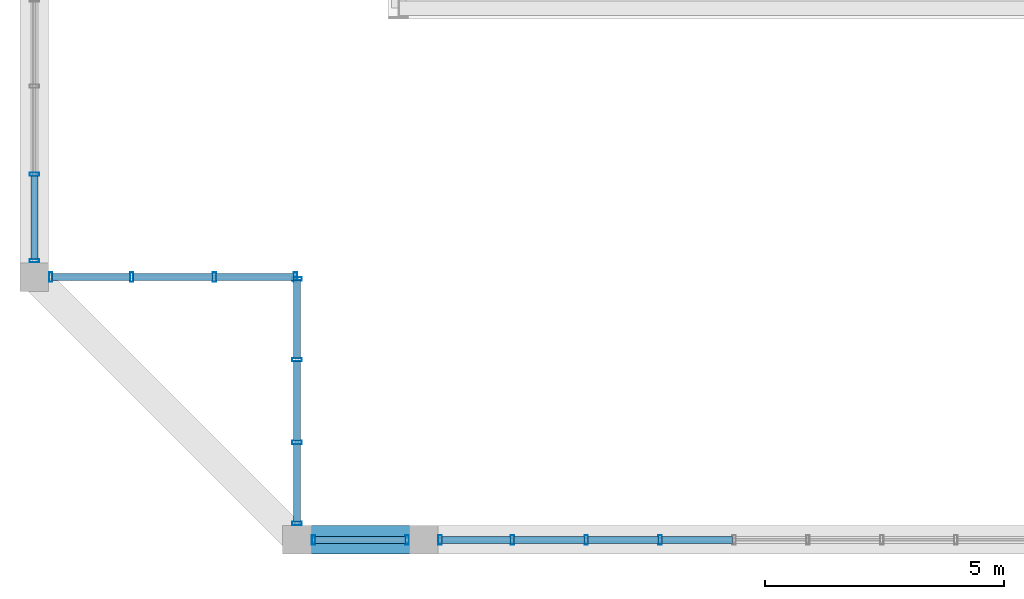
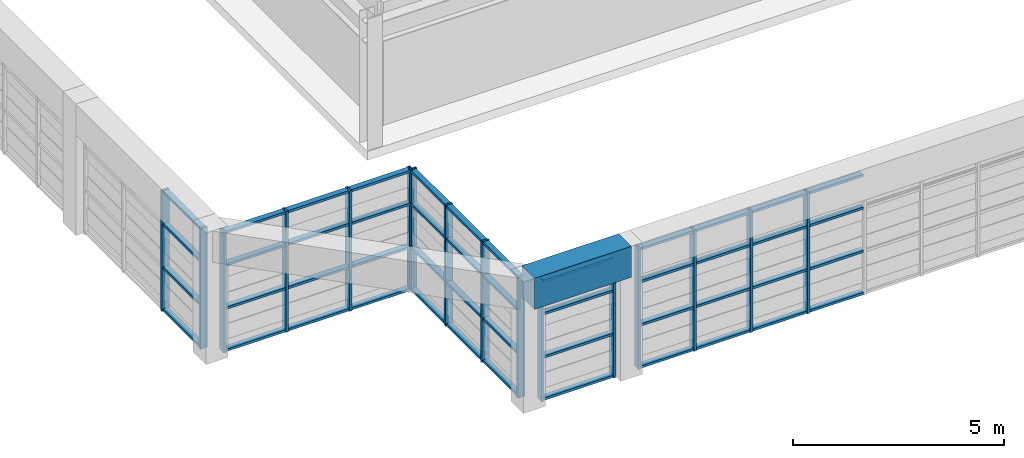
# One storey, part 2 of 27: 64 members, 1 beam, 5 elements without a shape of their own.
"""IFC4 building model written with IfcOpenShell, lengths in metres."""

from ifc_helpers import new_model, si_unit, direction, frame, origin, origin_2d, place, context, subcontext, project, spatial, rectangle, hollow_rectangle, extrude, source, transform, mapped, material, layer, layer_set, material_profile, profile_set, type_object, element, aggregate, save


model = new_model("IFC4")

# Units and contexts
model_context = context("Model", 3, precision=1e-05, world=origin(), true_north=direction((0.0, 1.0)))
body_context = subcontext(model_context, "Body", "Model", "MODEL_VIEW")
ifc_project = project(units=[si_unit("LENGTHUNIT", "METRE"), si_unit("AREAUNIT", "SQUARE_METRE"), si_unit("VOLUMEUNIT", "CUBIC_METRE"), si_unit("PLANEANGLEUNIT", "RADIAN"), si_unit("MASSUNIT", "GRAM", prefix="KILO")], contexts=[model_context])

# Site, building, storey
site_placement = place(None, origin())
site = spatial("IfcSite", under=ifc_project, at=site_placement, CompositionType="ELEMENT")
building_placement = place(site_placement, origin())
building = spatial("IfcBuilding", under=site, at=building_placement, Name="Saelheon Loggia Tower", CompositionType="ELEMENT")
storey_placement = place(building_placement, frame((0.0, 0.0, 256.0)))
storey = spatial("IfcBuildingStorey", under=building, at=storey_placement, Name="CR2", CompositionType="ELEMENT", Elevation=256.0)

# Beam
ifc_material_1 = material(Name="Precast Concrete C45/55", Category="concrete")
ifc_material_profile_1 = material_profile(ifc_material_1, rectangle(XDim=0.60009765625, YDim=0.89990234375, at=origin_2d()), Name="RC-600x900")
ifc_profile_set_1 = profile_set([ifc_material_profile_1], Name="Precast Concrete C45/55")
beam_type = type_object("IfcBeamType", Name="CrownFrame_Ring_RC600x900", PredefinedType="BEAM", material=ifc_profile_set_1)
shared_shape_1 = source(origin(), body_context, "Body", "SweptSolid", [
    extrude(rectangle(XDim=0.60009765625, YDim=0.89990234375, at=origin_2d()), origin(), (0.0, 0.0, 1.0), 2.64990234375),
])
beam_placement = place(storey_placement, frame((28.85009765625, 6.35009765625, 3.35009765625), z_axis=(1.0, 0.0, 0.0), x_axis=(0.0, 1.0, 0.0)))
element("IfcBeam", 1, at=beam_placement, inside=storey, type_object=beam_type, Name="CR2 CROWN FRAME Ring Beam 01", PredefinedType="BEAM", context=body_context, shape_type="MappedRepresentation", body=[
    mapped(shared_shape_1, transform((0.0, 0.0, 0.0), scale=1.0)),
])

# Curtain wall, members
ifc_material_2 = material(Name="Bronze-Anodised Aluminium and Fritted Ceramic Screen", Category="aluminium")
ifc_layer = layer(ifc_material_2, 0.219970703125)
ifc_layer_set = layer_set([ifc_layer], Name="Bronze-Anodised Aluminium and Fritted Ceramic Screen")
curtain_wall_type = type_object("IfcCurtainWallType", Name="CW_CrownScreen", PredefinedType="NOTDEFINED", material=ifc_layer_set)
curtain_wall_1_placement = place(storey_placement, origin())
curtain_wall_1 = element("IfcCurtainWall", 2, at=curtain_wall_1_placement, inside=storey, type_object=curtain_wall_type, Name="CR2 Crown Screen Curtain Wall 0-1", PredefinedType="NOTDEFINED")
ifc_material_3 = material(Name="Bronze-Anodised Aluminium 6063-T6", Category="aluminium")
ifc_material_profile_2 = material_profile(ifc_material_3, hollow_rectangle(XDim=0.070068359375, YDim=0.199951171875, WallThickness=0.0048828125, at=origin_2d()), Name="RHS-200x70x5")
ifc_profile_set_2 = profile_set([ifc_material_profile_2], Name="Bronze-Anodised Aluminium 6063-T6")
member_type_1 = type_object("IfcMemberType", Name="CW_CrownScreen_Mullion", PredefinedType="MULLION", material=ifc_profile_set_2)
shared_shape_2 = source(origin(), body_context, "Body", "SweptSolid", [
    extrude(hollow_rectangle(XDim=0.070068359375, YDim=0.199951171875, WallThickness=0.0048828125, at=origin_2d()), origin(), (0.0, 0.0, 1.0), 3.47998046875),
])
member_1_placement = place(storey_placement, frame((29.195068359375, 6.35009765625, 0.0), z_axis=(0.0, 0.0, 1.0), x_axis=(1.0, 0.0, 0.0)))
member_1 = element("IfcMember", 3, at=member_1_placement, type_object=member_type_1, Name="CW6 mullion 1", PredefinedType="MULLION", context=body_context, shape_type="MappedRepresentation", body=[
    mapped(shared_shape_2, transform((0.0, 0.0, 0.0), scale=1.0)),
])
member_2_placement = place(storey_placement, frame((31.155029296875, 6.35009765625, 0.0), z_axis=(0.0, 0.0, 1.0), x_axis=(1.0, 0.0, 0.0)))
member_2 = element("IfcMember", 4, at=member_2_placement, type_object=member_type_1, Name="CW6 mullion 2", PredefinedType="MULLION", context=body_context, shape_type="MappedRepresentation", body=[
    mapped(shared_shape_2, transform((0.0, 0.0, 0.0), scale=1.0)),
])

curtain_wall_2_placement = place(storey_placement, origin())
curtain_wall_2 = element("IfcCurtainWall", 5, at=curtain_wall_2_placement, inside=storey, type_object=curtain_wall_type, Name="CR2 Crown Screen Curtain Wall 0-2", PredefinedType="NOTDEFINED")
member_3_placement = place(storey_placement, frame((31.844970703125, 6.35009765625, 0.0), z_axis=(0.0, 0.0, 1.0), x_axis=(1.0, 0.0, 0.0)))
member_3 = element("IfcMember", 6, at=member_3_placement, type_object=member_type_1, Name="CW6 mullion 1", PredefinedType="MULLION", context=body_context, shape_type="MappedRepresentation", body=[
    mapped(shared_shape_2, transform((0.0, 0.0, 0.0), scale=1.0)),
])
member_4_placement = place(storey_placement, frame((33.357421875, 6.35009765625, 0.0), z_axis=(0.0, 0.0, 1.0), x_axis=(1.0, 0.0, 0.0)))
member_4 = element("IfcMember", 7, at=member_4_placement, type_object=member_type_1, Name="CW6 mullion 2", PredefinedType="MULLION", context=body_context, shape_type="MappedRepresentation", body=[
    mapped(shared_shape_2, transform((0.0, 0.0, 0.0), scale=1.0)),
])
member_5_placement = place(storey_placement, frame((34.905029296875, 6.35009765625, 0.0), z_axis=(0.0, 0.0, 1.0), x_axis=(1.0, 0.0, 0.0)))
member_5 = element("IfcMember", 8, at=member_5_placement, type_object=member_type_1, Name="CW6 mullion 3", PredefinedType="MULLION", context=body_context, shape_type="MappedRepresentation", body=[
    mapped(shared_shape_2, transform((0.0, 0.0, 0.0), scale=1.0)),
])
member_6_placement = place(storey_placement, frame((36.452392578125, 6.35009765625, 0.0), z_axis=(0.0, 0.0, 1.0), x_axis=(1.0, 0.0, 0.0)))
member_6 = element("IfcMember", 9, at=member_6_placement, type_object=member_type_1, Name="CW6 mullion 4", PredefinedType="MULLION", context=body_context, shape_type="MappedRepresentation", body=[
    mapped(shared_shape_2, transform((0.0, 0.0, 0.0), scale=1.0)),
])

curtain_wall_3_placement = place(storey_placement, origin())
curtain_wall_3 = element("IfcCurtainWall", 10, at=curtain_wall_3_placement, inside=storey, type_object=curtain_wall_type, Name="CR2 Crown Screen Curtain Wall 9-3", PredefinedType="NOTDEFINED")
member_7_placement = place(storey_placement, frame((23.35009765625, 14.00341796875, 0.0), z_axis=(0.0, 0.0, 1.0), x_axis=(0.0, -1.0, 0.0)))
member_7 = element("IfcMember", 11, at=member_7_placement, type_object=member_type_1, Name="CW6 mullion 3", PredefinedType="MULLION", context=body_context, shape_type="MappedRepresentation", body=[
    mapped(shared_shape_2, transform((0.0, 0.0, 0.0), scale=1.0)),
])
member_8_placement = place(storey_placement, frame((23.35009765625, 12.195068359375, 0.0), z_axis=(0.0, 0.0, 1.0), x_axis=(0.0, -1.0, 0.0)))
member_8 = element("IfcMember", 12, at=member_8_placement, type_object=member_type_1, Name="CW6 mullion 4", PredefinedType="MULLION", context=body_context, shape_type="MappedRepresentation", body=[
    mapped(shared_shape_2, transform((0.0, 0.0, 0.0), scale=1.0)),
])

curtain_wall_4_placement = place(storey_placement, origin())
curtain_wall_4 = element("IfcCurtainWall", 13, at=curtain_wall_4_placement, inside=storey, type_object=curtain_wall_type, Name="CR2 Crown Screen Curtain Wall 10-1", PredefinedType="NOTDEFINED")
member_9_placement = place(storey_placement, frame((23.695068359375, 11.85009765625, 0.0), z_axis=(0.0, 0.0, 1.0), x_axis=(1.0, 0.0, 0.0)))
member_9 = element("IfcMember", 14, at=member_9_placement, type_object=member_type_1, Name="CW6 mullion 1", PredefinedType="MULLION", context=body_context, shape_type="MappedRepresentation", body=[
    mapped(shared_shape_2, transform((0.0, 0.0, 0.0), scale=1.0)),
])
member_10_placement = place(storey_placement, frame((25.389892578125, 11.85009765625, 0.0), z_axis=(0.0, 0.0, 1.0), x_axis=(1.0, 0.0, 0.0)))
member_10 = element("IfcMember", 15, at=member_10_placement, type_object=member_type_1, Name="CW6 mullion 2", PredefinedType="MULLION", context=body_context, shape_type="MappedRepresentation", body=[
    mapped(shared_shape_2, transform((0.0, 0.0, 0.0), scale=1.0)),
])
member_11_placement = place(storey_placement, frame((27.1201171875, 11.85009765625, 0.0), z_axis=(0.0, 0.0, 1.0), x_axis=(1.0, 0.0, 0.0)))
member_11 = element("IfcMember", 16, at=member_11_placement, type_object=member_type_1, Name="CW6 mullion 3", PredefinedType="MULLION", context=body_context, shape_type="MappedRepresentation", body=[
    mapped(shared_shape_2, transform((0.0, 0.0, 0.0), scale=1.0)),
])
member_12_placement = place(storey_placement, frame((28.81494140625, 11.85009765625, 0.0), z_axis=(0.0, 0.0, 1.0), x_axis=(1.0, 0.0, 0.0)))
member_12 = element("IfcMember", 17, at=member_12_placement, type_object=member_type_1, Name="CW6 mullion 4", PredefinedType="MULLION", context=body_context, shape_type="MappedRepresentation", body=[
    mapped(shared_shape_2, transform((0.0, 0.0, 0.0), scale=1.0)),
])

curtain_wall_5_placement = place(storey_placement, origin())
curtain_wall_5 = element("IfcCurtainWall", 18, at=curtain_wall_5_placement, inside=storey, type_object=curtain_wall_type, Name="CR2 Crown Screen Curtain Wall 11-1", PredefinedType="NOTDEFINED")
member_13_placement = place(storey_placement, frame((28.85009765625, 11.81494140625, 0.0), z_axis=(0.0, 0.0, 1.0), x_axis=(0.0, -1.0, 0.0)))
member_13 = element("IfcMember", 19, at=member_13_placement, type_object=member_type_1, Name="CW6 mullion 1", PredefinedType="MULLION", context=body_context, shape_type="MappedRepresentation", body=[
    mapped(shared_shape_2, transform((0.0, 0.0, 0.0), scale=1.0)),
])
member_14_placement = place(storey_placement, frame((28.85009765625, 10.1201171875, 0.0), z_axis=(0.0, 0.0, 1.0), x_axis=(0.0, -1.0, 0.0)))
member_14 = element("IfcMember", 20, at=member_14_placement, type_object=member_type_1, Name="CW6 mullion 2", PredefinedType="MULLION", context=body_context, shape_type="MappedRepresentation", body=[
    mapped(shared_shape_2, transform((0.0, 0.0, 0.0), scale=1.0)),
])
member_15_placement = place(storey_placement, frame((28.85009765625, 8.389892578125, 0.0), z_axis=(0.0, 0.0, 1.0), x_axis=(0.0, -1.0, 0.0)))
member_15 = element("IfcMember", 21, at=member_15_placement, type_object=member_type_1, Name="CW6 mullion 3", PredefinedType="MULLION", context=body_context, shape_type="MappedRepresentation", body=[
    mapped(shared_shape_2, transform((0.0, 0.0, 0.0), scale=1.0)),
])
member_16_placement = place(storey_placement, frame((28.85009765625, 6.695068359375, 0.0), z_axis=(0.0, 0.0, 1.0), x_axis=(0.0, -1.0, 0.0)))
member_16 = element("IfcMember", 22, at=member_16_placement, type_object=member_type_1, Name="CW6 mullion 4", PredefinedType="MULLION", context=body_context, shape_type="MappedRepresentation", body=[
    mapped(shared_shape_2, transform((0.0, 0.0, 0.0), scale=1.0)),
])

# Member
ifc_material_profile_3 = material_profile(ifc_material_3, hollow_rectangle(XDim=0.070068359375, YDim=0.14990234375, WallThickness=0.0048828125, at=origin_2d()), Name="RHS-150x70x5")
ifc_profile_set_3 = profile_set([ifc_material_profile_3], Name="Bronze-Anodised Aluminium 6063-T6")
member_type_2 = type_object("IfcMemberType", Name="CW_CrownScreen_Transom", PredefinedType="USERDEFINED", material=ifc_profile_set_3)
shared_shape_3 = source(origin(), body_context, "Body", "SweptSolid", [
    extrude(hollow_rectangle(XDim=0.070068359375, YDim=0.14990234375, WallThickness=0.0048828125, at=origin_2d()), origin(), (0.0, 0.0, 1.0), 1.89013671875),
])
member_17_placement = place(storey_placement, frame((29.22998046875, 6.35009765625, 0.034912109375), z_axis=(1.0, 0.0, 0.0), x_axis=(0.0, 0.0, 1.0)))
member_17 = element("IfcMember", 23, at=member_17_placement, type_object=member_type_2, Name="CW6 transom 1.1", ObjectType="TRANSOM", PredefinedType="USERDEFINED", context=body_context, shape_type="MappedRepresentation", body=[
    mapped(shared_shape_3, transform((0.0, 0.0, 0.0), scale=1.0)),
])

member_18_placement = place(storey_placement, frame((29.22998046875, 6.35009765625, 1.25), z_axis=(1.0, 0.0, 0.0), x_axis=(0.0, 0.0, 1.0)))
member_18 = element("IfcMember", 24, at=member_18_placement, type_object=member_type_2, Name="CW6 transom 1.2", ObjectType="TRANSOM", PredefinedType="USERDEFINED", context=body_context, shape_type="MappedRepresentation", body=[
    mapped(shared_shape_3, transform((0.0, 0.0, 0.0), scale=1.0)),
])

member_19_placement = place(storey_placement, frame((29.22998046875, 6.35009765625, 2.5), z_axis=(1.0, 0.0, 0.0), x_axis=(0.0, 0.0, 1.0)))
member_19 = element("IfcMember", 25, at=member_19_placement, type_object=member_type_2, Name="CW6 transom 1.3", ObjectType="TRANSOM", PredefinedType="USERDEFINED", context=body_context, shape_type="MappedRepresentation", body=[
    mapped(shared_shape_3, transform((0.0, 0.0, 0.0), scale=1.0)),
])

member_20_placement = place(storey_placement, frame((29.22998046875, 6.35009765625, 3.445068359375), z_axis=(1.0, 0.0, 0.0), x_axis=(0.0, 0.0, 1.0)))
member_20 = element("IfcMember", 26, at=member_20_placement, type_object=member_type_2, Name="CW6 transom 1.4", ObjectType="TRANSOM", PredefinedType="USERDEFINED", context=body_context, shape_type="MappedRepresentation", body=[
    mapped(shared_shape_3, transform((0.0, 0.0, 0.0), scale=1.0)),
])

aggregate(curtain_wall_1, [member_1, member_2, member_17, member_18, member_19, member_20])

shared_shape_4 = source(origin(), body_context, "Body", "SweptSolid", [
    extrude(hollow_rectangle(XDim=0.070068359375, YDim=0.14990234375, WallThickness=0.0048828125, at=origin_2d()), origin(), (0.0, 0.0, 1.0), 1.442626953125),
])
member_21_placement = place(storey_placement, frame((31.8798828125, 6.35009765625, 0.034912109375), z_axis=(1.0, 0.0, 0.0), x_axis=(0.0, 0.0, 1.0)))
member_21 = element("IfcMember", 27, at=member_21_placement, type_object=member_type_2, Name="CW6 transom 1.1", ObjectType="TRANSOM", PredefinedType="USERDEFINED", context=body_context, shape_type="MappedRepresentation", body=[
    mapped(shared_shape_4, transform((0.0, 0.0, 0.0), scale=1.0)),
])

member_22_placement = place(storey_placement, frame((31.8798828125, 6.35009765625, 1.25), z_axis=(1.0, 0.0, 0.0), x_axis=(0.0, 0.0, 1.0)))
member_22 = element("IfcMember", 28, at=member_22_placement, type_object=member_type_2, Name="CW6 transom 1.2", ObjectType="TRANSOM", PredefinedType="USERDEFINED", context=body_context, shape_type="MappedRepresentation", body=[
    mapped(shared_shape_4, transform((0.0, 0.0, 0.0), scale=1.0)),
])

member_23_placement = place(storey_placement, frame((31.8798828125, 6.35009765625, 2.5), z_axis=(1.0, 0.0, 0.0), x_axis=(0.0, 0.0, 1.0)))
member_23 = element("IfcMember", 29, at=member_23_placement, type_object=member_type_2, Name="CW6 transom 1.3", ObjectType="TRANSOM", PredefinedType="USERDEFINED", context=body_context, shape_type="MappedRepresentation", body=[
    mapped(shared_shape_4, transform((0.0, 0.0, 0.0), scale=1.0)),
])

member_24_placement = place(storey_placement, frame((31.8798828125, 6.35009765625, 3.445068359375), z_axis=(1.0, 0.0, 0.0), x_axis=(0.0, 0.0, 1.0)))
member_24 = element("IfcMember", 30, at=member_24_placement, type_object=member_type_2, Name="CW6 transom 1.4", ObjectType="TRANSOM", PredefinedType="USERDEFINED", context=body_context, shape_type="MappedRepresentation", body=[
    mapped(shared_shape_4, transform((0.0, 0.0, 0.0), scale=1.0)),
])

shared_shape_5 = source(origin(), body_context, "Body", "SweptSolid", [
    extrude(hollow_rectangle(XDim=0.070068359375, YDim=0.14990234375, WallThickness=0.0048828125, at=origin_2d()), origin(), (0.0, 0.0, 1.0), 1.4775390625),
])
member_25_placement = place(storey_placement, frame((33.392578125, 6.35009765625, 0.034912109375), z_axis=(1.0, 0.0, 0.0), x_axis=(0.0, 0.0, 1.0)))
member_25 = element("IfcMember", 31, at=member_25_placement, type_object=member_type_2, Name="CW6 transom 2.1", ObjectType="TRANSOM", PredefinedType="USERDEFINED", context=body_context, shape_type="MappedRepresentation", body=[
    mapped(shared_shape_5, transform((0.0, 0.0, 0.0), scale=1.0)),
])

member_26_placement = place(storey_placement, frame((33.392578125, 6.35009765625, 1.25), z_axis=(1.0, 0.0, 0.0), x_axis=(0.0, 0.0, 1.0)))
member_26 = element("IfcMember", 32, at=member_26_placement, type_object=member_type_2, Name="CW6 transom 2.2", ObjectType="TRANSOM", PredefinedType="USERDEFINED", context=body_context, shape_type="MappedRepresentation", body=[
    mapped(shared_shape_5, transform((0.0, 0.0, 0.0), scale=1.0)),
])

member_27_placement = place(storey_placement, frame((33.392578125, 6.35009765625, 2.5), z_axis=(1.0, 0.0, 0.0), x_axis=(0.0, 0.0, 1.0)))
member_27 = element("IfcMember", 33, at=member_27_placement, type_object=member_type_2, Name="CW6 transom 2.3", ObjectType="TRANSOM", PredefinedType="USERDEFINED", context=body_context, shape_type="MappedRepresentation", body=[
    mapped(shared_shape_5, transform((0.0, 0.0, 0.0), scale=1.0)),
])

member_28_placement = place(storey_placement, frame((33.392578125, 6.35009765625, 3.445068359375), z_axis=(1.0, 0.0, 0.0), x_axis=(0.0, 0.0, 1.0)))
member_28 = element("IfcMember", 34, at=member_28_placement, type_object=member_type_2, Name="CW6 transom 2.4", ObjectType="TRANSOM", PredefinedType="USERDEFINED", context=body_context, shape_type="MappedRepresentation", body=[
    mapped(shared_shape_5, transform((0.0, 0.0, 0.0), scale=1.0)),
])

member_29_placement = place(storey_placement, frame((34.93994140625, 6.35009765625, 0.034912109375), z_axis=(1.0, 0.0, 0.0), x_axis=(0.0, 0.0, 1.0)))
member_29 = element("IfcMember", 35, at=member_29_placement, type_object=member_type_2, Name="CW6 transom 3.1", ObjectType="TRANSOM", PredefinedType="USERDEFINED", context=body_context, shape_type="MappedRepresentation", body=[
    mapped(shared_shape_5, transform((0.0, 0.0, 0.0), scale=1.0)),
])

member_30_placement = place(storey_placement, frame((34.93994140625, 6.35009765625, 1.25), z_axis=(1.0, 0.0, 0.0), x_axis=(0.0, 0.0, 1.0)))
member_30 = element("IfcMember", 36, at=member_30_placement, type_object=member_type_2, Name="CW6 transom 3.2", ObjectType="TRANSOM", PredefinedType="USERDEFINED", context=body_context, shape_type="MappedRepresentation", body=[
    mapped(shared_shape_5, transform((0.0, 0.0, 0.0), scale=1.0)),
])

member_31_placement = place(storey_placement, frame((34.93994140625, 6.35009765625, 2.5), z_axis=(1.0, 0.0, 0.0), x_axis=(0.0, 0.0, 1.0)))
member_31 = element("IfcMember", 37, at=member_31_placement, type_object=member_type_2, Name="CW6 transom 3.3", ObjectType="TRANSOM", PredefinedType="USERDEFINED", context=body_context, shape_type="MappedRepresentation", body=[
    mapped(shared_shape_5, transform((0.0, 0.0, 0.0), scale=1.0)),
])

member_32_placement = place(storey_placement, frame((34.93994140625, 6.35009765625, 3.445068359375), z_axis=(1.0, 0.0, 0.0), x_axis=(0.0, 0.0, 1.0)))
member_32 = element("IfcMember", 38, at=member_32_placement, type_object=member_type_2, Name="CW6 transom 3.4", ObjectType="TRANSOM", PredefinedType="USERDEFINED", context=body_context, shape_type="MappedRepresentation", body=[
    mapped(shared_shape_5, transform((0.0, 0.0, 0.0), scale=1.0)),
])

member_33_placement = place(storey_placement, frame((36.487548828125, 6.35009765625, 0.034912109375), z_axis=(1.0, 0.0, 0.0), x_axis=(0.0, 0.0, 1.0)))
member_33 = element("IfcMember", 39, at=member_33_placement, type_object=member_type_2, Name="CW6 transom 4.1", ObjectType="TRANSOM", PredefinedType="USERDEFINED", context=body_context, shape_type="MappedRepresentation", body=[
    mapped(shared_shape_5, transform((0.0, 0.0, 0.0), scale=1.0)),
])

member_34_placement = place(storey_placement, frame((36.487548828125, 6.35009765625, 1.25), z_axis=(1.0, 0.0, 0.0), x_axis=(0.0, 0.0, 1.0)))
member_34 = element("IfcMember", 40, at=member_34_placement, type_object=member_type_2, Name="CW6 transom 4.2", ObjectType="TRANSOM", PredefinedType="USERDEFINED", context=body_context, shape_type="MappedRepresentation", body=[
    mapped(shared_shape_5, transform((0.0, 0.0, 0.0), scale=1.0)),
])

member_35_placement = place(storey_placement, frame((36.487548828125, 6.35009765625, 2.5), z_axis=(1.0, 0.0, 0.0), x_axis=(0.0, 0.0, 1.0)))
member_35 = element("IfcMember", 41, at=member_35_placement, type_object=member_type_2, Name="CW6 transom 4.3", ObjectType="TRANSOM", PredefinedType="USERDEFINED", context=body_context, shape_type="MappedRepresentation", body=[
    mapped(shared_shape_5, transform((0.0, 0.0, 0.0), scale=1.0)),
])

member_36_placement = place(storey_placement, frame((36.487548828125, 6.35009765625, 3.445068359375), z_axis=(1.0, 0.0, 0.0), x_axis=(0.0, 0.0, 1.0)))
member_36 = element("IfcMember", 42, at=member_36_placement, type_object=member_type_2, Name="CW6 transom 4.4", ObjectType="TRANSOM", PredefinedType="USERDEFINED", context=body_context, shape_type="MappedRepresentation", body=[
    mapped(shared_shape_5, transform((0.0, 0.0, 0.0), scale=1.0)),
])

aggregate(curtain_wall_2, [member_3, member_4, member_5, member_6, member_21, member_22, member_23, member_24, member_25, member_26, member_27, member_28, member_29, member_30, member_31, member_32, member_33, member_34, member_35, member_36])

shared_shape_6 = source(origin(), body_context, "Body", "SweptSolid", [
    extrude(hollow_rectangle(XDim=0.070068359375, YDim=0.14990234375, WallThickness=0.0048828125, at=origin_2d()), origin(), (0.0, 0.0, 1.0), 1.625),
])
member_37_placement = place(storey_placement, frame((23.72998046875, 11.85009765625, 0.034912109375), z_axis=(1.0, 0.0, 0.0), x_axis=(0.0, 0.0, 1.0)))
member_37 = element("IfcMember", 43, at=member_37_placement, type_object=member_type_2, Name="CW6 transom 1.1", ObjectType="TRANSOM", PredefinedType="USERDEFINED", context=body_context, shape_type="MappedRepresentation", body=[
    mapped(shared_shape_6, transform((0.0, 0.0, 0.0), scale=1.0)),
])

member_38_placement = place(storey_placement, frame((23.72998046875, 11.85009765625, 1.25), z_axis=(1.0, 0.0, 0.0), x_axis=(0.0, 0.0, 1.0)))
member_38 = element("IfcMember", 44, at=member_38_placement, type_object=member_type_2, Name="CW6 transom 1.2", ObjectType="TRANSOM", PredefinedType="USERDEFINED", context=body_context, shape_type="MappedRepresentation", body=[
    mapped(shared_shape_6, transform((0.0, 0.0, 0.0), scale=1.0)),
])

member_39_placement = place(storey_placement, frame((23.72998046875, 11.85009765625, 2.5), z_axis=(1.0, 0.0, 0.0), x_axis=(0.0, 0.0, 1.0)))
member_39 = element("IfcMember", 45, at=member_39_placement, type_object=member_type_2, Name="CW6 transom 1.3", ObjectType="TRANSOM", PredefinedType="USERDEFINED", context=body_context, shape_type="MappedRepresentation", body=[
    mapped(shared_shape_6, transform((0.0, 0.0, 0.0), scale=1.0)),
])

member_40_placement = place(storey_placement, frame((23.72998046875, 11.85009765625, 3.445068359375), z_axis=(1.0, 0.0, 0.0), x_axis=(0.0, 0.0, 1.0)))
member_40 = element("IfcMember", 46, at=member_40_placement, type_object=member_type_2, Name="CW6 transom 1.4", ObjectType="TRANSOM", PredefinedType="USERDEFINED", context=body_context, shape_type="MappedRepresentation", body=[
    mapped(shared_shape_6, transform((0.0, 0.0, 0.0), scale=1.0)),
])

member_41_placement = place(storey_placement, frame((27.155029296875, 11.85009765625, 0.034912109375), z_axis=(1.0, 0.0, 0.0), x_axis=(0.0, 0.0, 1.0)))
member_41 = element("IfcMember", 47, at=member_41_placement, type_object=member_type_2, Name="CW6 transom 3.1", ObjectType="TRANSOM", PredefinedType="USERDEFINED", context=body_context, shape_type="MappedRepresentation", body=[
    mapped(shared_shape_6, transform((0.0, 0.0, 0.0), scale=1.0)),
])

member_42_placement = place(storey_placement, frame((27.155029296875, 11.85009765625, 1.25), z_axis=(1.0, 0.0, 0.0), x_axis=(0.0, 0.0, 1.0)))
member_42 = element("IfcMember", 48, at=member_42_placement, type_object=member_type_2, Name="CW6 transom 3.2", ObjectType="TRANSOM", PredefinedType="USERDEFINED", context=body_context, shape_type="MappedRepresentation", body=[
    mapped(shared_shape_6, transform((0.0, 0.0, 0.0), scale=1.0)),
])

member_43_placement = place(storey_placement, frame((27.155029296875, 11.85009765625, 2.5), z_axis=(1.0, 0.0, 0.0), x_axis=(0.0, 0.0, 1.0)))
member_43 = element("IfcMember", 49, at=member_43_placement, type_object=member_type_2, Name="CW6 transom 3.3", ObjectType="TRANSOM", PredefinedType="USERDEFINED", context=body_context, shape_type="MappedRepresentation", body=[
    mapped(shared_shape_6, transform((0.0, 0.0, 0.0), scale=1.0)),
])

member_44_placement = place(storey_placement, frame((27.155029296875, 11.85009765625, 3.445068359375), z_axis=(1.0, 0.0, 0.0), x_axis=(0.0, 0.0, 1.0)))
member_44 = element("IfcMember", 50, at=member_44_placement, type_object=member_type_2, Name="CW6 transom 3.4", ObjectType="TRANSOM", PredefinedType="USERDEFINED", context=body_context, shape_type="MappedRepresentation", body=[
    mapped(shared_shape_6, transform((0.0, 0.0, 0.0), scale=1.0)),
])

member_45_placement = place(storey_placement, frame((28.85009765625, 11.780029296875, 0.034912109375), z_axis=(0.0, -1.0, 0.0), x_axis=(0.0, 0.0, 1.0)))
member_45 = element("IfcMember", 51, at=member_45_placement, type_object=member_type_2, Name="CW6 transom 1.1", ObjectType="TRANSOM", PredefinedType="USERDEFINED", context=body_context, shape_type="MappedRepresentation", body=[
    mapped(shared_shape_6, transform((0.0, 0.0, 0.0), scale=1.0)),
])

member_46_placement = place(storey_placement, frame((28.85009765625, 11.780029296875, 1.25), z_axis=(0.0, -1.0, 0.0), x_axis=(0.0, 0.0, 1.0)))
member_46 = element("IfcMember", 52, at=member_46_placement, type_object=member_type_2, Name="CW6 transom 1.2", ObjectType="TRANSOM", PredefinedType="USERDEFINED", context=body_context, shape_type="MappedRepresentation", body=[
    mapped(shared_shape_6, transform((0.0, 0.0, 0.0), scale=1.0)),
])

member_47_placement = place(storey_placement, frame((28.85009765625, 11.780029296875, 2.5), z_axis=(0.0, -1.0, 0.0), x_axis=(0.0, 0.0, 1.0)))
member_47 = element("IfcMember", 53, at=member_47_placement, type_object=member_type_2, Name="CW6 transom 1.3", ObjectType="TRANSOM", PredefinedType="USERDEFINED", context=body_context, shape_type="MappedRepresentation", body=[
    mapped(shared_shape_6, transform((0.0, 0.0, 0.0), scale=1.0)),
])

member_48_placement = place(storey_placement, frame((28.85009765625, 11.780029296875, 3.445068359375), z_axis=(0.0, -1.0, 0.0), x_axis=(0.0, 0.0, 1.0)))
member_48 = element("IfcMember", 54, at=member_48_placement, type_object=member_type_2, Name="CW6 transom 1.4", ObjectType="TRANSOM", PredefinedType="USERDEFINED", context=body_context, shape_type="MappedRepresentation", body=[
    mapped(shared_shape_6, transform((0.0, 0.0, 0.0), scale=1.0)),
])

member_49_placement = place(storey_placement, frame((28.85009765625, 8.35498046875, 0.034912109375), z_axis=(0.0, -1.0, 0.0), x_axis=(0.0, 0.0, 1.0)))
member_49 = element("IfcMember", 55, at=member_49_placement, type_object=member_type_2, Name="CW6 transom 3.1", ObjectType="TRANSOM", PredefinedType="USERDEFINED", context=body_context, shape_type="MappedRepresentation", body=[
    mapped(shared_shape_6, transform((0.0, 0.0, 0.0), scale=1.0)),
])

member_50_placement = place(storey_placement, frame((28.85009765625, 8.35498046875, 1.25), z_axis=(0.0, -1.0, 0.0), x_axis=(0.0, 0.0, 1.0)))
member_50 = element("IfcMember", 56, at=member_50_placement, type_object=member_type_2, Name="CW6 transom 3.2", ObjectType="TRANSOM", PredefinedType="USERDEFINED", context=body_context, shape_type="MappedRepresentation", body=[
    mapped(shared_shape_6, transform((0.0, 0.0, 0.0), scale=1.0)),
])

member_51_placement = place(storey_placement, frame((28.85009765625, 8.35498046875, 2.5), z_axis=(0.0, -1.0, 0.0), x_axis=(0.0, 0.0, 1.0)))
member_51 = element("IfcMember", 57, at=member_51_placement, type_object=member_type_2, Name="CW6 transom 3.3", ObjectType="TRANSOM", PredefinedType="USERDEFINED", context=body_context, shape_type="MappedRepresentation", body=[
    mapped(shared_shape_6, transform((0.0, 0.0, 0.0), scale=1.0)),
])

member_52_placement = place(storey_placement, frame((28.85009765625, 8.35498046875, 3.445068359375), z_axis=(0.0, -1.0, 0.0), x_axis=(0.0, 0.0, 1.0)))
member_52 = element("IfcMember", 58, at=member_52_placement, type_object=member_type_2, Name="CW6 transom 3.4", ObjectType="TRANSOM", PredefinedType="USERDEFINED", context=body_context, shape_type="MappedRepresentation", body=[
    mapped(shared_shape_6, transform((0.0, 0.0, 0.0), scale=1.0)),
])

shared_shape_7 = source(origin(), body_context, "Body", "SweptSolid", [
    extrude(hollow_rectangle(XDim=0.070068359375, YDim=0.14990234375, WallThickness=0.0048828125, at=origin_2d()), origin(), (0.0, 0.0, 1.0), 1.659912109375),
])
member_53_placement = place(storey_placement, frame((25.425048828125, 11.85009765625, 0.034912109375), z_axis=(1.0, 0.0, 0.0), x_axis=(0.0, 0.0, 1.0)))
member_53 = element("IfcMember", 59, at=member_53_placement, type_object=member_type_2, Name="CW6 transom 2.1", ObjectType="TRANSOM", PredefinedType="USERDEFINED", context=body_context, shape_type="MappedRepresentation", body=[
    mapped(shared_shape_7, transform((0.0, 0.0, 0.0), scale=1.0)),
])

member_54_placement = place(storey_placement, frame((25.425048828125, 11.85009765625, 1.25), z_axis=(1.0, 0.0, 0.0), x_axis=(0.0, 0.0, 1.0)))
member_54 = element("IfcMember", 60, at=member_54_placement, type_object=member_type_2, Name="CW6 transom 2.2", ObjectType="TRANSOM", PredefinedType="USERDEFINED", context=body_context, shape_type="MappedRepresentation", body=[
    mapped(shared_shape_7, transform((0.0, 0.0, 0.0), scale=1.0)),
])

member_55_placement = place(storey_placement, frame((25.425048828125, 11.85009765625, 2.5), z_axis=(1.0, 0.0, 0.0), x_axis=(0.0, 0.0, 1.0)))
member_55 = element("IfcMember", 61, at=member_55_placement, type_object=member_type_2, Name="CW6 transom 2.3", ObjectType="TRANSOM", PredefinedType="USERDEFINED", context=body_context, shape_type="MappedRepresentation", body=[
    mapped(shared_shape_7, transform((0.0, 0.0, 0.0), scale=1.0)),
])

member_56_placement = place(storey_placement, frame((25.425048828125, 11.85009765625, 3.445068359375), z_axis=(1.0, 0.0, 0.0), x_axis=(0.0, 0.0, 1.0)))
member_56 = element("IfcMember", 62, at=member_56_placement, type_object=member_type_2, Name="CW6 transom 2.4", ObjectType="TRANSOM", PredefinedType="USERDEFINED", context=body_context, shape_type="MappedRepresentation", body=[
    mapped(shared_shape_7, transform((0.0, 0.0, 0.0), scale=1.0)),
])

aggregate(curtain_wall_4, [member_9, member_10, member_11, member_12, member_37, member_38, member_39, member_40, member_53, member_54, member_55, member_56, member_41, member_42, member_43, member_44])

member_57_placement = place(storey_placement, frame((28.85009765625, 10.0849609375, 0.034912109375), z_axis=(0.0, -1.0, 0.0), x_axis=(0.0, 0.0, 1.0)))
member_57 = element("IfcMember", 63, at=member_57_placement, type_object=member_type_2, Name="CW6 transom 2.1", ObjectType="TRANSOM", PredefinedType="USERDEFINED", context=body_context, shape_type="MappedRepresentation", body=[
    mapped(shared_shape_7, transform((0.0, 0.0, 0.0), scale=1.0)),
])

member_58_placement = place(storey_placement, frame((28.85009765625, 10.0849609375, 1.25), z_axis=(0.0, -1.0, 0.0), x_axis=(0.0, 0.0, 1.0)))
member_58 = element("IfcMember", 64, at=member_58_placement, type_object=member_type_2, Name="CW6 transom 2.2", ObjectType="TRANSOM", PredefinedType="USERDEFINED", context=body_context, shape_type="MappedRepresentation", body=[
    mapped(shared_shape_7, transform((0.0, 0.0, 0.0), scale=1.0)),
])

member_59_placement = place(storey_placement, frame((28.85009765625, 10.0849609375, 2.5), z_axis=(0.0, -1.0, 0.0), x_axis=(0.0, 0.0, 1.0)))
member_59 = element("IfcMember", 65, at=member_59_placement, type_object=member_type_2, Name="CW6 transom 2.3", ObjectType="TRANSOM", PredefinedType="USERDEFINED", context=body_context, shape_type="MappedRepresentation", body=[
    mapped(shared_shape_7, transform((0.0, 0.0, 0.0), scale=1.0)),
])

member_60_placement = place(storey_placement, frame((28.85009765625, 10.0849609375, 3.445068359375), z_axis=(0.0, -1.0, 0.0), x_axis=(0.0, 0.0, 1.0)))
member_60 = element("IfcMember", 66, at=member_60_placement, type_object=member_type_2, Name="CW6 transom 2.4", ObjectType="TRANSOM", PredefinedType="USERDEFINED", context=body_context, shape_type="MappedRepresentation", body=[
    mapped(shared_shape_7, transform((0.0, 0.0, 0.0), scale=1.0)),
])

aggregate(curtain_wall_5, [member_13, member_14, member_15, member_16, member_45, member_46, member_47, member_48, member_57, member_58, member_59, member_60, member_49, member_50, member_51, member_52])

shared_shape_8 = source(origin(), body_context, "Body", "SweptSolid", [
    extrude(hollow_rectangle(XDim=0.070068359375, YDim=0.14990234375, WallThickness=0.0048828125, at=origin_2d()), origin(), (0.0, 0.0, 1.0), 1.73828125),
])
member_61_placement = place(storey_placement, frame((23.35009765625, 13.96826171875, 0.034912109375), z_axis=(0.0, -1.0, 0.0), x_axis=(0.0, 0.0, 1.0)))
member_61 = element("IfcMember", 67, at=member_61_placement, type_object=member_type_2, Name="CW6 transom 3.1", ObjectType="TRANSOM", PredefinedType="USERDEFINED", context=body_context, shape_type="MappedRepresentation", body=[
    mapped(shared_shape_8, transform((0.0, 0.0, 0.0), scale=1.0)),
])

member_62_placement = place(storey_placement, frame((23.35009765625, 13.96826171875, 1.25), z_axis=(0.0, -1.0, 0.0), x_axis=(0.0, 0.0, 1.0)))
member_62 = element("IfcMember", 68, at=member_62_placement, type_object=member_type_2, Name="CW6 transom 3.2", ObjectType="TRANSOM", PredefinedType="USERDEFINED", context=body_context, shape_type="MappedRepresentation", body=[
    mapped(shared_shape_8, transform((0.0, 0.0, 0.0), scale=1.0)),
])

member_63_placement = place(storey_placement, frame((23.35009765625, 13.96826171875, 2.5), z_axis=(0.0, -1.0, 0.0), x_axis=(0.0, 0.0, 1.0)))
member_63 = element("IfcMember", 69, at=member_63_placement, type_object=member_type_2, Name="CW6 transom 3.3", ObjectType="TRANSOM", PredefinedType="USERDEFINED", context=body_context, shape_type="MappedRepresentation", body=[
    mapped(shared_shape_8, transform((0.0, 0.0, 0.0), scale=1.0)),
])

member_64_placement = place(storey_placement, frame((23.35009765625, 13.96826171875, 3.445068359375), z_axis=(0.0, -1.0, 0.0), x_axis=(0.0, 0.0, 1.0)))
member_64 = element("IfcMember", 70, at=member_64_placement, type_object=member_type_2, Name="CW6 transom 3.4", ObjectType="TRANSOM", PredefinedType="USERDEFINED", context=body_context, shape_type="MappedRepresentation", body=[
    mapped(shared_shape_8, transform((0.0, 0.0, 0.0), scale=1.0)),
])

aggregate(curtain_wall_3, [member_7, member_8, member_61, member_62, member_63, member_64])

save(model, "model.ifc")
